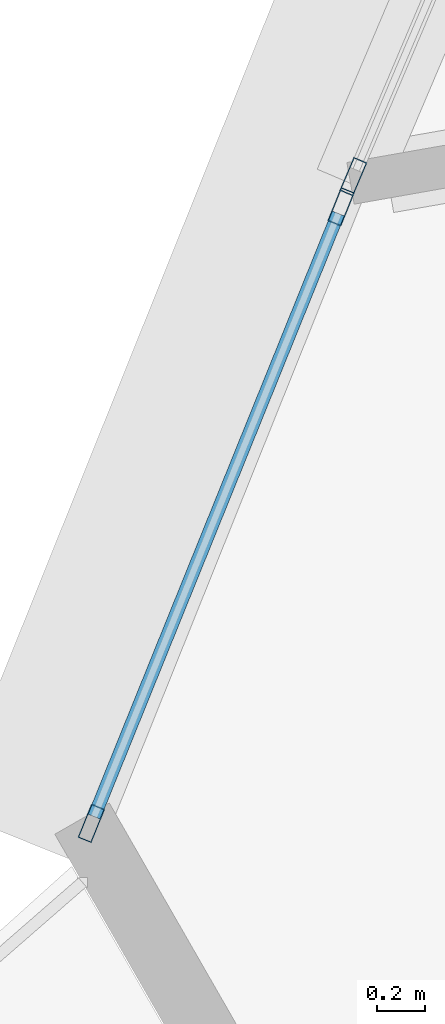
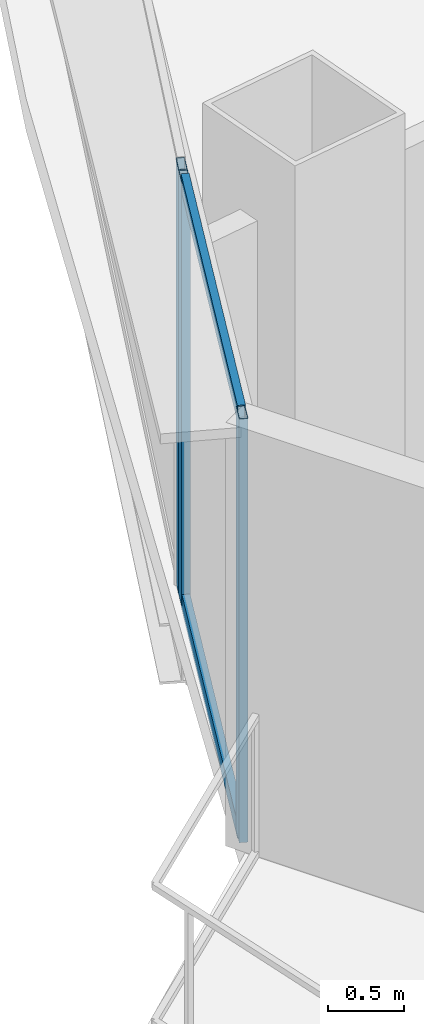
# One storey, part 4 of 39: 5 members, 2 elements without a shape of their own.
"""IFC4 building model written with IfcOpenShell, lengths in metres."""

import ifcopenshell
import ifcopenshell.guid

model = None  # the IFC model being written
_history = None  # IfcOwnerHistory: only IFC2X3 demands one
_inside = {}  # id of a spatial element -> (the spatial element, [elements in it])
_under = {}  # id of a project, library or spatial element -> (it, [spatial elements below it])
_declared = {}  # id of a project -> (the project, [libraries it declares])
_typed = {}  # id of a type object -> (the type object, [elements of that type])
_made_of = {}  # id of a material, layer set ... -> (it, [elements and type objects made of it])


def new_model(schema):
    """Start an empty IFC model of exactly this schema.

    Asked for "IFC4X3", IfcOpenShell would pick the latest addendum, in which some entities
    have other attributes; the version numbers below select the first issue.
    IFC2X3 requires an IfcOwnerHistory on every rooted entity: one is made here for all.
    """
    global model, _history
    if schema == "IFC4X3":
        model = ifcopenshell.file(schema_version=(4, 3, 0, 0))
    else:
        model = ifcopenshell.file(schema=schema)
    _inside.clear()
    _under.clear()
    _declared.clear()
    _typed.clear()
    _made_of.clear()
    _history = None
    if model.schema == "IFC2X3":
        org = make("IfcOrganization", Name="unknown")
        user = make(
            "IfcPersonAndOrganization",
            ThePerson=make("IfcPerson", FamilyName="unknown"),
            TheOrganization=org,
        )
        app = make(
            "IfcApplication",
            ApplicationDeveloper=org,
            Version="unknown",
            ApplicationFullName="unknown",
            ApplicationIdentifier="unknown",
        )
        _history = make(
            "IfcOwnerHistory",
            OwningUser=user,
            OwningApplication=app,
            ChangeAction="ADDED",
            CreationDate=0,
        )
    return model


def make(cls, **values):
    """One entity of the class cls with the attributes given. An attribute that is None is left unset."""
    return model.create_entity(
        cls, **{name: value for name, value in values.items() if value is not None}
    )


def rooted(cls, **values):
    """An entity with a GlobalId (a new one), such as an element, a storey or a relation."""
    return make(cls, GlobalId=ifcopenshell.guid.new(), OwnerHistory=_history, **values)


def si_unit(unit_type, name, prefix=None):
    """IfcSIUnit, for example si_unit("LENGTHUNIT", "METRE", prefix="MILLI")."""
    return make("IfcSIUnit", UnitType=unit_type, Prefix=prefix, Name=name)


def assignment(units):
    """IfcUnitAssignment: the units of a project."""
    return None if units is None else make("IfcUnitAssignment", Units=units)


def point(xyz):
    """IfcCartesianPoint."""
    return None if xyz is None else make("IfcCartesianPoint", Coordinates=xyz)


def direction(xyz):
    """IfcDirection."""
    return None if xyz is None else make("IfcDirection", DirectionRatios=xyz)


def frame(location, z_axis=None, x_axis=None):
    """IfcAxis2Placement3D, a coordinate frame: its origin and axes. An axis left out is left unset."""
    return make(
        "IfcAxis2Placement3D",
        Location=point(location),
        Axis=direction(z_axis),
        RefDirection=direction(x_axis),
    )


def frame_2d(location, x_axis=None):
    """IfcAxis2Placement2D, a coordinate frame in the plane: its origin and x axis."""
    return make(
        "IfcAxis2Placement2D", Location=point(location), RefDirection=direction(x_axis)
    )


def origin():
    """The frame at (0, 0, 0) with its axes left unset."""
    return frame((0.0, 0.0, 0.0))


def origin_2d():
    """The frame at (0, 0) in the plane with its x axis left unset."""
    return frame_2d((0.0, 0.0))


def place(relative_to, where):
    """IfcLocalPlacement: puts the frame where relative to a parent placement (None: the world)."""
    return make(
        "IfcLocalPlacement", PlacementRelTo=relative_to, RelativePlacement=where
    )


def context(
    kind, dimensions, precision=None, world=None, true_north=None, identifier=None
):
    """IfcGeometricRepresentationContext, for example the 3D "Model" context."""
    return make(
        "IfcGeometricRepresentationContext",
        ContextIdentifier=identifier,
        ContextType=kind,
        CoordinateSpaceDimension=dimensions,
        Precision=precision,
        WorldCoordinateSystem=world,
        TrueNorth=true_north,
    )


def subcontext(parent, identifier, kind, view, scale=None):
    """IfcGeometricRepresentationSubContext, for example "Body" below "Model"."""
    return make(
        "IfcGeometricRepresentationSubContext",
        ContextIdentifier=identifier,
        ContextType=kind,
        ParentContext=parent,
        TargetScale=scale,
        TargetView=view,
    )


def project(units=None, contexts=None):
    """IfcProject with its units and contexts."""
    return rooted(
        "IfcProject",
        Name="project",
        RepresentationContexts=contexts,
        UnitsInContext=assignment(units),
    )


def spatial(cls, under=None, at=None, **own):
    """A site, building, storey or space (cls), placed at a placement, below another one or the project."""
    s = rooted(cls, ObjectPlacement=at, **own)
    if under is not None:
        _under.setdefault(under.id(), (under, []))[1].append(s)
    return s


def profile(cls, at=None, kind="AREA", **sizes):
    """A parametric profile (cls). Its sizes go by their IFC names, for example OverallWidth=200.0."""
    return make(cls, ProfileType=kind, Position=at, **sizes)


def hollow_rectangle(**sizes):
    """IfcRectangleHollowProfileDef."""
    return profile("IfcRectangleHollowProfileDef", **sizes)


def extrude(swept, where, along, depth):
    """IfcExtrudedAreaSolid: the profile swept, set in the frame where, extruded along a direction by depth."""
    return make(
        "IfcExtrudedAreaSolid",
        SweptArea=swept,
        Position=where,
        ExtrudedDirection=direction(along),
        Depth=depth,
    )


def shape(context_of_items, identifier, shape_type, items):
    """IfcShapeRepresentation: the items that make up one representation, for example the "Body"."""
    return make(
        "IfcShapeRepresentation",
        ContextOfItems=context_of_items,
        RepresentationIdentifier=identifier,
        RepresentationType=shape_type,
        Items=items,
    )


def source(mapping_origin, context_of_items, identifier, shape_type, items):
    """IfcRepresentationMap: a shape defined once, which mapped items show again and again."""
    return make(
        "IfcRepresentationMap",
        MappingOrigin=mapping_origin,
        MappedRepresentation=shape(context_of_items, identifier, shape_type, items),
    )


def transform(
    local_origin,
    x_axis=None,
    y_axis=None,
    z_axis=None,
    scale=None,
    scale2=None,
    scale3=None,
    uniform=True,
):
    """IfcCartesianTransformationOperator3D, or its non-uniform kind. x_axis, y_axis, z_axis: its Axis1, 2, 3."""
    if uniform:
        return make(
            "IfcCartesianTransformationOperator3D",
            Axis1=direction(x_axis),
            Axis2=direction(y_axis),
            LocalOrigin=point(local_origin),
            Scale=scale,
            Axis3=direction(z_axis),
        )
    return make(
        "IfcCartesianTransformationOperator3DnonUniform",
        Axis1=direction(x_axis),
        Axis2=direction(y_axis),
        LocalOrigin=point(local_origin),
        Scale=scale,
        Axis3=direction(z_axis),
        Scale2=scale2,
        Scale3=scale3,
    )


def mapped(mapping_source, mapping_target):
    """IfcMappedItem: shows the shape of a source again, moved by a transform."""
    return make(
        "IfcMappedItem", MappingSource=mapping_source, MappingTarget=mapping_target
    )


def material(Name=None, Category=None):
    """IfcMaterial."""
    return make("IfcMaterial", Name=Name, Category=Category)


def layer(
    of_material, thickness, ventilated=None, Name=None, Category=None, Priority=None
):
    """IfcMaterialLayer: one layer of a wall or slab, of a material (None: an air gap)."""
    return make(
        "IfcMaterialLayer",
        Material=of_material,
        LayerThickness=thickness,
        IsVentilated=ventilated,
        Name=Name,
        Category=Category,
        Priority=Priority,
    )


def layer_set(layers, Name=None):
    """IfcMaterialLayerSet."""
    return make("IfcMaterialLayerSet", MaterialLayers=layers, LayerSetName=Name)


def material_profile(
    of_material, cross_section, Name=None, Category=None, Priority=None
):
    """IfcMaterialProfile: a cross section and its material."""
    return make(
        "IfcMaterialProfile",
        Name=Name,
        Material=of_material,
        Profile=cross_section,
        Priority=Priority,
        Category=Category,
    )


def profile_set(profiles, Name=None, composite=None):
    """IfcMaterialProfileSet."""
    return make(
        "IfcMaterialProfileSet",
        Name=Name,
        MaterialProfiles=profiles,
        CompositeProfile=composite,
    )


def made_of(thing, what):
    """Note that an element or type object is made of a material, layer set ...; save() writes the relation."""
    if what is not None:
        _made_of.setdefault(what.id(), (what, []))[1].append(thing)
    return thing


def type_object(cls, material=None, **own):
    """A type object (cls), such as IfcWallType, which elements share."""
    return made_of(rooted(cls, **own), material)


def element(
    cls,
    number,
    at=None,
    inside=None,
    cuts=None,
    type_object=None,
    material=None,
    context=None,
    identifier="Body",
    shape_type=None,
    held_by="IfcProductDefinitionShape",
    body=None,
    shapes=None,
    **own,
):
    """One element of the class cls, such as IfcWall. Its Tag is "e" and its number.

    at: its placement. inside: the storey or other place that contains it. cuts: it is an
    opening in that element (IfcRelVoidsElement). A single representation is given by context,
    identifier, shape_type and body (its items); several are given by shapes. held_by: the class
    of the entity that holds the representations. save() writes the other relations.
    """
    e = rooted(cls, Tag="e%d" % number, ObjectPlacement=at, **own)
    if body is not None:
        shapes = [shape(context, identifier, shape_type, body)]
    if shapes is not None:
        e.Representation = make(held_by, Representations=shapes)
    if inside is not None:
        _inside.setdefault(inside.id(), (inside, []))[1].append(e)
    if cuts is not None:
        rooted(
            "IfcRelVoidsElement", RelatingBuildingElement=cuts, RelatedOpeningElement=e
        )
    if type_object is not None:
        _typed.setdefault(type_object.id(), (type_object, []))[1].append(e)
    return made_of(e, material)


def aggregate(whole, parts):
    """IfcRelAggregates: a whole, such as a stair, and the parts it consists of."""
    return rooted("IfcRelAggregates", RelatingObject=whole, RelatedObjects=parts)


def save(model, path):
    """Write the relations noted so far, then the file.

    IfcRelAggregates (storeys below a building ...), IfcRelContainedInSpatialStructure (elements
    in a storey), IfcRelDefinesByType, IfcRelAssociatesMaterial and IfcRelDeclares: one each for
    every whole, place, type object, material and project.
    """
    for whole, parts in _under.values():
        aggregate(whole, parts)
    for where, things in _inside.values():
        rooted(
            "IfcRelContainedInSpatialStructure",
            RelatedElements=things,
            RelatingStructure=where,
        )
    for kind, things in _typed.values():
        rooted("IfcRelDefinesByType", RelatedObjects=things, RelatingType=kind)
    for what, things in _made_of.values():
        rooted("IfcRelAssociatesMaterial", RelatedObjects=things, RelatingMaterial=what)
    for by, libraries in _declared.values():
        rooted("IfcRelDeclares", RelatingContext=by, RelatedDefinitions=libraries)
    model.write(path)


model = new_model("IFC4")

# Units and contexts
model_context = context("Model", 3, precision=1e-05, world=origin(), true_north=direction((0.0, 1.0)))
body_context = subcontext(model_context, "Body", "Model", "MODEL_VIEW")
ifc_project = project(units=[si_unit("LENGTHUNIT", "METRE"), si_unit("AREAUNIT", "SQUARE_METRE"), si_unit("VOLUMEUNIT", "CUBIC_METRE"), si_unit("PLANEANGLEUNIT", "RADIAN"), si_unit("MASSUNIT", "GRAM", prefix="KILO"), si_unit("THERMODYNAMICTEMPERATUREUNIT", "KELVIN"), si_unit("POWERUNIT", "WATT")], contexts=[model_context])

# Site, building, storey
site_placement = place(None, origin())
site = spatial("IfcSite", under=ifc_project, at=site_placement, CompositionType="ELEMENT")
building_placement = place(site_placement, origin())
building = spatial("IfcBuilding", under=site, at=building_placement, Name="Yunzhuo Pagoda Commons", CompositionType="ELEMENT")
storey_placement = place(building_placement, frame((0.0, 0.0, 166.6298828125)))
storey = spatial("IfcBuildingStorey", under=building, at=storey_placement, Name="L42", CompositionType="ELEMENT", Elevation=166.6298828125)

# Curtain wall, member
ifc_material = material(Name="Anodized aluminium 6063-T6", Category="aluminium")
ifc_layer = layer(ifc_material, 0.14990234375)
ifc_layer_set = layer_set([ifc_layer], Name="Anodized aluminium 6063-T6")
curtain_wall_type = type_object("IfcCurtainWallType", Name="CW-MID Mid-Zone Ribbon Curtain Wall", PredefinedType="NOTDEFINED", material=ifc_layer_set)
curtain_wall_1_placement = place(storey_placement, origin())
curtain_wall_1 = element("IfcCurtainWall", 1, at=curtain_wall_1_placement, inside=storey, type_object=curtain_wall_type, Name="L42 curtain wall CW-L42-F3B4", PredefinedType="NOTDEFINED")
ifc_material_profile_1 = material_profile(ifc_material, hollow_rectangle(XDim=0.06005859375, YDim=0.14990234375, WallThickness=0.00390625, at=origin_2d()), Name="Anodized aluminium 6063-T6")
ifc_profile_set_1 = profile_set([ifc_material_profile_1], Name="Anodized aluminium 6063-T6")
member_type_1 = type_object("IfcMemberType", Name="CW-MID-M Mullion RHS 150x60x4", PredefinedType="MULLION", material=ifc_profile_set_1)
shared_shape_1 = source(origin(), body_context, "Body", "SweptSolid", [
    extrude(hollow_rectangle(XDim=0.06005859375, YDim=0.14990234375, WallThickness=0.00390625, at=origin_2d()), origin(), (0.0, 0.0, 1.0), 3.420166015625),
])
member_1_placement = place(storey_placement, frame((9.98046875, 27.02197265625, 0.0), z_axis=(0.0, 0.0, 1.0), x_axis=(0.920363798122, -0.391063267395, 0.0)))
member_1 = element("IfcMember", 2, at=member_1_placement, type_object=member_type_1, Name="CW mullion 2", PredefinedType="MULLION", context=body_context, shape_type="MappedRepresentation", body=[
    mapped(shared_shape_1, transform((0.0, 0.0, 0.0), scale=1.0)),
])
aggregate(curtain_wall_1, [member_1])

# Curtain wall, members
curtain_wall_2_placement = place(storey_placement, origin())
curtain_wall_2 = element("IfcCurtainWall", 3, at=curtain_wall_2_placement, inside=storey, type_object=curtain_wall_type, Name="L42 curtain wall CW-L42-F3B5", PredefinedType="NOTDEFINED")
member_2_placement = place(storey_placement, frame((9.929443359375, 26.89697265625, 0.0), z_axis=(0.0, 0.0, 1.0), x_axis=(0.926896232527, -0.375317697594, 0.0)))
member_2 = element("IfcMember", 4, at=member_2_placement, type_object=member_type_1, Name="CW mullion 1", PredefinedType="MULLION", context=body_context, shape_type="MappedRepresentation", body=[
    mapped(shared_shape_1, transform((0.0, 0.0, 0.0), scale=1.0)),
])
member_3_placement = place(storey_placement, frame((8.894775390625, 24.342041015625, 0.0), z_axis=(0.0, 0.0, 1.0), x_axis=(0.926896232527, -0.375317697594, 0.0)))
member_3 = element("IfcMember", 5, at=member_3_placement, type_object=member_type_1, Name="CW mullion 2", PredefinedType="MULLION", context=body_context, shape_type="MappedRepresentation", body=[
    mapped(shared_shape_1, transform((0.0, 0.0, 0.0), scale=1.0)),
])
ifc_material_profile_2 = material_profile(ifc_material, hollow_rectangle(XDim=0.054931640625, YDim=0.1298828125, WallThickness=0.00341796875, at=origin_2d()), Name="Anodized aluminium 6063-T6")
ifc_profile_set_2 = profile_set([ifc_material_profile_2], Name="Anodized aluminium 6063-T6")
member_type_2 = type_object("IfcMemberType", Name="CW-MID-T Transom RHS 130x55x3.5", PredefinedType="USERDEFINED", material=ifc_profile_set_2)
shared_shape_2 = source(origin(), body_context, "Body", "SweptSolid", [
    extrude(hollow_rectangle(XDim=0.054931640625, YDim=0.1298828125, WallThickness=0.00341796875, at=origin_2d()), origin(), (0.0, 0.0, 1.0), 2.6962890625),
])
member_4_placement = place(storey_placement, frame((9.91796875, 26.869140625, 0.027587890625), z_axis=(-0.375305747768, -0.926901071146, 0.0), x_axis=(0.926901071146, -0.375305747768, 0.0)))
member_4 = element("IfcMember", 6, at=member_4_placement, type_object=member_type_2, Name="CW transom 1.1", ObjectType="TRANSOM", PredefinedType="USERDEFINED", context=body_context, shape_type="MappedRepresentation", body=[
    mapped(shared_shape_2, transform((0.0, 0.0, 0.0), scale=1.0)),
])
member_5_placement = place(storey_placement, frame((9.91796875, 26.869140625, 3.392578125), z_axis=(-0.375305747768, -0.926901071146, 0.0), x_axis=(0.926901071146, -0.375305747768, 0.0)))
member_5 = element("IfcMember", 7, at=member_5_placement, type_object=member_type_2, Name="CW transom 1.2", ObjectType="TRANSOM", PredefinedType="USERDEFINED", context=body_context, shape_type="MappedRepresentation", body=[
    mapped(shared_shape_2, transform((0.0, 0.0, 0.0), scale=1.0)),
])
aggregate(curtain_wall_2, [member_2, member_3, member_4, member_5])

save(model, "model.ifc")
